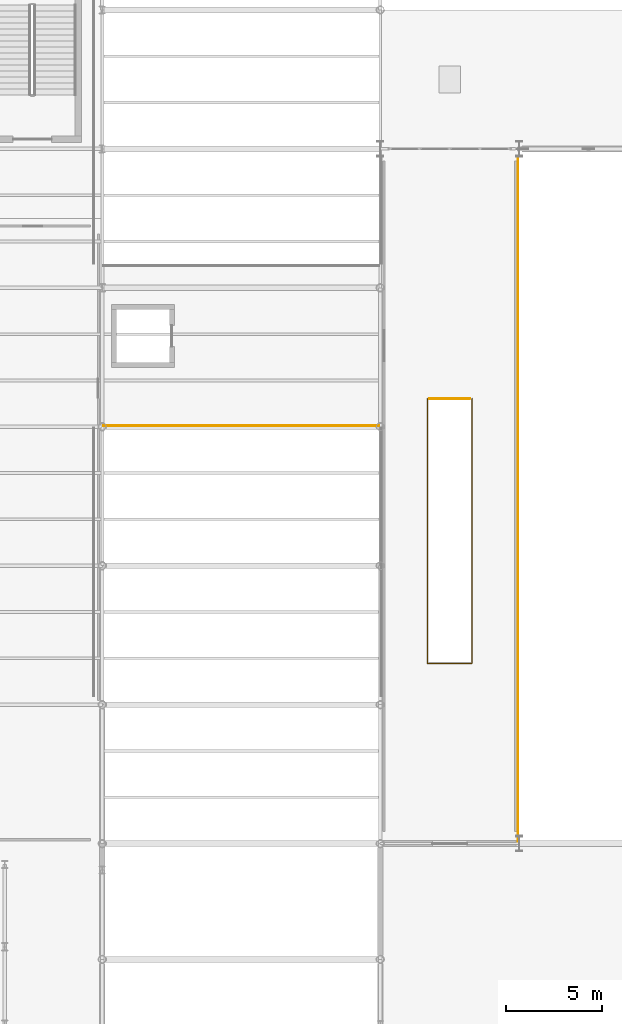
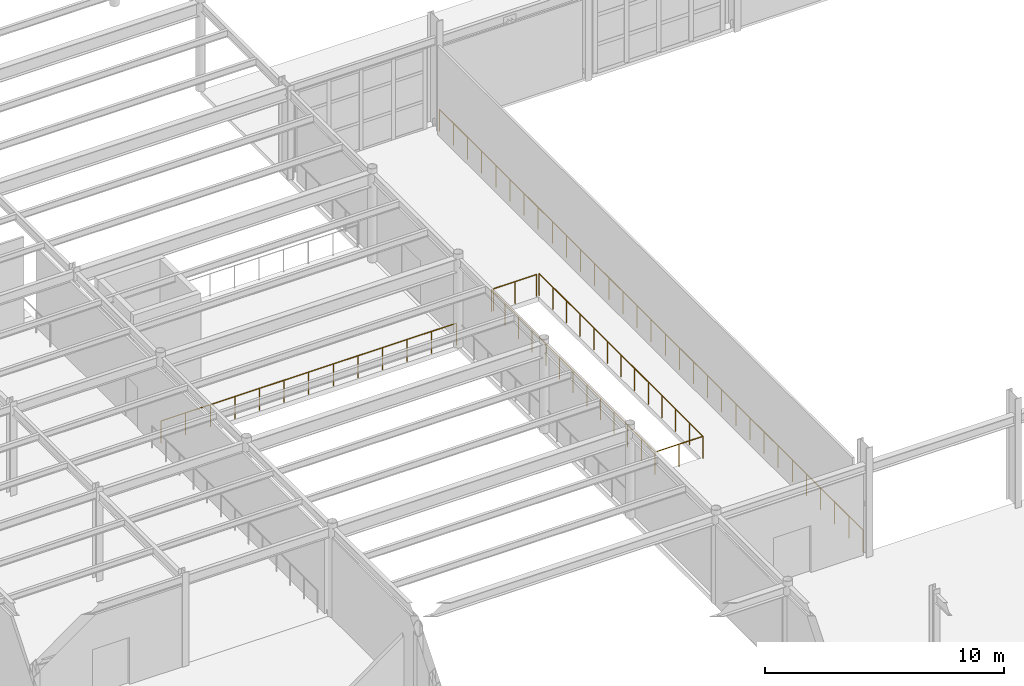
# One storey, part 120 of 126: 4 railings.
"""IFC4 building model written with IfcOpenShell, lengths in metres."""

from ifc_helpers import new_model, si_unit, direction, frame, origin, origin_2d, place, context, subcontext, project, spatial, circle, extrude, material, type_object, element, save


model = new_model("IFC4")

# Units and contexts
model_context = context("Model", 3, precision=1e-05, world=origin(), true_north=direction((0.0, 1.0)))
body_context = subcontext(model_context, "Body", "Model", "MODEL_VIEW")
ifc_project = project(units=[si_unit("LENGTHUNIT", "METRE"), si_unit("AREAUNIT", "SQUARE_METRE"), si_unit("VOLUMEUNIT", "CUBIC_METRE"), si_unit("PLANEANGLEUNIT", "RADIAN"), si_unit("MASSUNIT", "GRAM", prefix="KILO")], contexts=[model_context])

# Site, building, storey
site_placement = place(None, origin())
site = spatial("IfcSite", under=ifc_project, at=site_placement, CompositionType="ELEMENT")
building_placement = place(site_placement, origin())
building = spatial("IfcBuilding", under=site, at=building_placement, Name="Solvadek Multi-Sports Hall", CompositionType="ELEMENT")
storey_placement = place(building_placement, frame((0.0, 0.0, 9.60009765625)))
storey = spatial("IfcBuildingStorey", under=building, at=storey_placement, Name="L02", CompositionType="ELEMENT", Elevation=9.60009765625)

# Railings
ifc_material = material(Name="Steel E250 (250 MPa)", Category="steel")
railing_type = type_object("IfcRailingType", Name="INT-RAL-GRD115", PredefinedType="BALUSTRADE", material=ifc_material)
railing_1_placement = place(storey_placement, frame((88.840087890625, 29.06005859375, 0.0)))
element("IfcRailing", 1, at=railing_1_placement, inside=storey, type_object=railing_type, Name="L02 Void Edge Balustrade Guard #31", PredefinedType="BALUSTRADE", context=body_context, shape_type="SweptSolid", body=[
    extrude(circle(Radius=0.02392578125, at=origin_2d()), frame((0.0, 0.0, 1.1259765625), z_axis=(0.0, -1.0, 0.0), x_axis=(1.0, 0.0, 0.0)), (0.0, 0.0, 1.0), 13.719970703125),
    extrude(circle(Radius=0.02392578125, at=origin_2d()), frame((0.0, -13.719970703125, 1.1259765625), z_axis=(1.0, 0.0, 0.0), x_axis=(0.0, 1.0, 0.0)), (0.0, 0.0, 1.0), 2.31982421875),
    extrude(circle(Radius=0.02392578125, at=origin_2d()), frame((2.31982421875, -13.719970703125, 1.1259765625), z_axis=(0.0, 1.0, 0.0), x_axis=(-1.0, 0.0, 0.0)), (0.0, 0.0, 1.0), 13.719970703125),
    extrude(circle(Radius=0.02099609375, at=origin_2d()), origin(), (0.0, 0.0, 1.0), 1.101806640625),
    extrude(circle(Radius=0.02099609375, at=origin_2d()), frame((0.0, -1.143310546875, 0.0)), (0.0, 0.0, 1.0), 1.101806640625),
    extrude(circle(Radius=0.02099609375, at=origin_2d()), frame((0.0, -2.28662109375, 0.0)), (0.0, 0.0, 1.0), 1.101806640625),
    extrude(circle(Radius=0.02099609375, at=origin_2d()), frame((0.0, -3.429931640625, 0.0)), (0.0, 0.0, 1.0), 1.101806640625),
    extrude(circle(Radius=0.02099609375, at=origin_2d()), frame((0.0, -4.5732421875, 0.0)), (0.0, 0.0, 1.0), 1.101806640625),
    extrude(circle(Radius=0.02099609375, at=origin_2d()), frame((0.0, -5.716552734375, 0.0)), (0.0, 0.0, 1.0), 1.101806640625),
    extrude(circle(Radius=0.02099609375, at=origin_2d()), frame((0.0, -6.85986328125, 0.0)), (0.0, 0.0, 1.0), 1.101806640625),
    extrude(circle(Radius=0.02099609375, at=origin_2d()), frame((0.0, -8.00341796875, 0.0)), (0.0, 0.0, 1.0), 1.101806640625),
    extrude(circle(Radius=0.02099609375, at=origin_2d()), frame((0.0, -9.146728515625, 0.0)), (0.0, 0.0, 1.0), 1.101806640625),
    extrude(circle(Radius=0.02099609375, at=origin_2d()), frame((0.0, -10.2900390625, 0.0)), (0.0, 0.0, 1.0), 1.101806640625),
    extrude(circle(Radius=0.02099609375, at=origin_2d()), frame((0.0, -11.433349609375, 0.0)), (0.0, 0.0, 1.0), 1.101806640625),
    extrude(circle(Radius=0.02099609375, at=origin_2d()), frame((0.0, -12.57666015625, 0.0)), (0.0, 0.0, 1.0), 1.101806640625),
    extrude(circle(Radius=0.02099609375, at=origin_2d()), frame((0.0, -13.719970703125, 0.0)), (0.0, 0.0, 1.0), 1.101806640625),
    extrude(circle(Radius=0.02099609375, at=origin_2d()), frame((1.159912109375, -13.719970703125, 0.0)), (0.0, 0.0, 1.0), 1.101806640625),
    extrude(circle(Radius=0.02099609375, at=origin_2d()), frame((2.31982421875, -13.719970703125, 0.0)), (0.0, 0.0, 1.0), 1.101806640625),
    extrude(circle(Radius=0.02099609375, at=origin_2d()), frame((2.31982421875, -12.57666015625, 0.0)), (0.0, 0.0, 1.0), 1.101806640625),
    extrude(circle(Radius=0.02099609375, at=origin_2d()), frame((2.31982421875, -11.433349609375, 0.0)), (0.0, 0.0, 1.0), 1.101806640625),
    extrude(circle(Radius=0.02099609375, at=origin_2d()), frame((2.31982421875, -10.2900390625, 0.0)), (0.0, 0.0, 1.0), 1.101806640625),
    extrude(circle(Radius=0.02099609375, at=origin_2d()), frame((2.31982421875, -9.146728515625, 0.0)), (0.0, 0.0, 1.0), 1.101806640625),
    extrude(circle(Radius=0.02099609375, at=origin_2d()), frame((2.31982421875, -8.00341796875, 0.0)), (0.0, 0.0, 1.0), 1.101806640625),
    extrude(circle(Radius=0.02099609375, at=origin_2d()), frame((2.31982421875, -6.85986328125, 0.0)), (0.0, 0.0, 1.0), 1.101806640625),
    extrude(circle(Radius=0.02099609375, at=origin_2d()), frame((2.31982421875, -5.716552734375, 0.0)), (0.0, 0.0, 1.0), 1.101806640625),
    extrude(circle(Radius=0.02099609375, at=origin_2d()), frame((2.31982421875, -4.5732421875, 0.0)), (0.0, 0.0, 1.0), 1.101806640625),
    extrude(circle(Radius=0.02099609375, at=origin_2d()), frame((2.31982421875, -3.429931640625, 0.0)), (0.0, 0.0, 1.0), 1.101806640625),
    extrude(circle(Radius=0.02099609375, at=origin_2d()), frame((2.31982421875, -2.28662109375, 0.0)), (0.0, 0.0, 1.0), 1.101806640625),
    extrude(circle(Radius=0.02099609375, at=origin_2d()), frame((2.31982421875, -1.143310546875, 0.0)), (0.0, 0.0, 1.0), 1.101806640625),
    extrude(circle(Radius=0.02099609375, at=origin_2d()), frame((2.31982421875, 0.0, 0.0)), (0.0, 0.0, 1.0), 1.101806640625),
])
railing_2_placement = place(storey_placement, frame((88.9599609375, 29.06005859375, 0.0)))
element("IfcRailing", 2, at=railing_2_placement, inside=storey, type_object=railing_type, Name="L02 Void Edge Balustrade Guard #32", PredefinedType="BALUSTRADE", context=body_context, shape_type="SweptSolid", body=[
    extrude(circle(Radius=0.02392578125, at=origin_2d()), frame((0.0, 0.0, 1.1259765625), z_axis=(1.0, 0.0, 0.0), x_axis=(0.0, 1.0, 0.0)), (0.0, 0.0, 1.0), 2.080078125),
    extrude(circle(Radius=0.02099609375, at=origin_2d()), origin(), (0.0, 0.0, 1.0), 1.101806640625),
    extrude(circle(Radius=0.02099609375, at=origin_2d()), frame((1.0400390625, 0.0, 0.0)), (0.0, 0.0, 1.0), 1.101806640625),
    extrude(circle(Radius=0.02099609375, at=origin_2d()), frame((2.080078125, 0.0, 0.0)), (0.0, 0.0, 1.0), 1.101806640625),
])
railing_3_placement = place(storey_placement, frame((72.06005859375, 27.659912109375, 0.0)))
element("IfcRailing", 3, at=railing_3_placement, inside=storey, type_object=railing_type, Name="L02 Void Edge Balustrade Guard #58", PredefinedType="BALUSTRADE", context=body_context, shape_type="SweptSolid", body=[
    extrude(circle(Radius=0.02392578125, at=origin_2d()), frame((0.0, 0.0, 1.1259765625), z_axis=(1.0, 0.0, 0.0), x_axis=(0.0, 1.0, 0.0)), (0.0, 0.0, 1.0), 14.280029296875),
    extrude(circle(Radius=0.02099609375, at=origin_2d()), origin(), (0.0, 0.0, 1.0), 1.101806640625),
    extrude(circle(Radius=0.02099609375, at=origin_2d()), frame((1.18994140625, 0.0, 0.0)), (0.0, 0.0, 1.0), 1.101806640625),
    extrude(circle(Radius=0.02099609375, at=origin_2d()), frame((2.3798828125, 0.0, 0.0)), (0.0, 0.0, 1.0), 1.101806640625),
    extrude(circle(Radius=0.02099609375, at=origin_2d()), frame((3.570068359375, 0.0, 0.0)), (0.0, 0.0, 1.0), 1.101806640625),
    extrude(circle(Radius=0.02099609375, at=origin_2d()), frame((4.760009765625, 0.0, 0.0)), (0.0, 0.0, 1.0), 1.101806640625),
    extrude(circle(Radius=0.02099609375, at=origin_2d()), frame((5.949951171875, 0.0, 0.0)), (0.0, 0.0, 1.0), 1.101806640625),
    extrude(circle(Radius=0.02099609375, at=origin_2d()), frame((7.14013671875, 0.0, 0.0)), (0.0, 0.0, 1.0), 1.101806640625),
    extrude(circle(Radius=0.02099609375, at=origin_2d()), frame((8.330078125, 0.0, 0.0)), (0.0, 0.0, 1.0), 1.101806640625),
    extrude(circle(Radius=0.02099609375, at=origin_2d()), frame((9.52001953125, 0.0, 0.0)), (0.0, 0.0, 1.0), 1.101806640625),
    extrude(circle(Radius=0.02099609375, at=origin_2d()), frame((10.7099609375, 0.0, 0.0)), (0.0, 0.0, 1.0), 1.101806640625),
    extrude(circle(Radius=0.02099609375, at=origin_2d()), frame((11.89990234375, 0.0, 0.0)), (0.0, 0.0, 1.0), 1.101806640625),
    extrude(circle(Radius=0.02099609375, at=origin_2d()), frame((13.090087890625, 0.0, 0.0)), (0.0, 0.0, 1.0), 1.101806640625),
    extrude(circle(Radius=0.02099609375, at=origin_2d()), frame((14.280029296875, 0.0, 0.0)), (0.0, 0.0, 1.0), 1.101806640625),
])
railing_4_placement = place(storey_placement, frame((93.5400390625, 6.06005859375, 0.0)))
element("IfcRailing", 4, at=railing_4_placement, inside=storey, type_object=railing_type, Name="L02 Void Edge Balustrade Guard #63", PredefinedType="BALUSTRADE", context=body_context, shape_type="SweptSolid", body=[
    extrude(circle(Radius=0.02392578125, at=origin_2d()), frame((0.0, 0.0, 1.1259765625), z_axis=(0.0, 1.0, 0.0), x_axis=(-1.0, 0.0, 0.0)), (0.0, 0.0, 1.0), 35.489990234375),
    extrude(circle(Radius=0.02099609375, at=origin_2d()), origin(), (0.0, 0.0, 1.0), 1.101806640625),
    extrude(circle(Radius=0.02099609375, at=origin_2d()), frame((0.0, 1.18310546875, 0.0)), (0.0, 0.0, 1.0), 1.101806640625),
    extrude(circle(Radius=0.02099609375, at=origin_2d()), frame((0.0, 2.365966796875, 0.0)), (0.0, 0.0, 1.0), 1.101806640625),
    extrude(circle(Radius=0.02099609375, at=origin_2d()), frame((0.0, 3.549072265625, 0.0)), (0.0, 0.0, 1.0), 1.101806640625),
    extrude(circle(Radius=0.02099609375, at=origin_2d()), frame((0.0, 4.73193359375, 0.0)), (0.0, 0.0, 1.0), 1.101806640625),
    extrude(circle(Radius=0.02099609375, at=origin_2d()), frame((0.0, 5.9150390625, 0.0)), (0.0, 0.0, 1.0), 1.101806640625),
    extrude(circle(Radius=0.02099609375, at=origin_2d()), frame((0.0, 7.097900390625, 0.0)), (0.0, 0.0, 1.0), 1.101806640625),
    extrude(circle(Radius=0.02099609375, at=origin_2d()), frame((0.0, 8.281005859375, 0.0)), (0.0, 0.0, 1.0), 1.101806640625),
    extrude(circle(Radius=0.02099609375, at=origin_2d()), frame((0.0, 9.464111328125, 0.0)), (0.0, 0.0, 1.0), 1.101806640625),
    extrude(circle(Radius=0.02099609375, at=origin_2d()), frame((0.0, 10.64697265625, 0.0)), (0.0, 0.0, 1.0), 1.101806640625),
    extrude(circle(Radius=0.02099609375, at=origin_2d()), frame((0.0, 11.830078125, 0.0)), (0.0, 0.0, 1.0), 1.101806640625),
    extrude(circle(Radius=0.02099609375, at=origin_2d()), frame((0.0, 13.012939453125, 0.0)), (0.0, 0.0, 1.0), 1.101806640625),
    extrude(circle(Radius=0.02099609375, at=origin_2d()), frame((0.0, 14.196044921875, 0.0)), (0.0, 0.0, 1.0), 1.101806640625),
    extrude(circle(Radius=0.02099609375, at=origin_2d()), frame((0.0, 15.37890625, 0.0)), (0.0, 0.0, 1.0), 1.101806640625),
    extrude(circle(Radius=0.02099609375, at=origin_2d()), frame((0.0, 16.56201171875, 0.0)), (0.0, 0.0, 1.0), 1.101806640625),
    extrude(circle(Radius=0.02099609375, at=origin_2d()), frame((0.0, 17.7451171875, 0.0)), (0.0, 0.0, 1.0), 1.101806640625),
    extrude(circle(Radius=0.02099609375, at=origin_2d()), frame((0.0, 18.927978515625, 0.0)), (0.0, 0.0, 1.0), 1.101806640625),
    extrude(circle(Radius=0.02099609375, at=origin_2d()), frame((0.0, 20.111083984375, 0.0)), (0.0, 0.0, 1.0), 1.101806640625),
    extrude(circle(Radius=0.02099609375, at=origin_2d()), frame((0.0, 21.2939453125, 0.0)), (0.0, 0.0, 1.0), 1.101806640625),
    extrude(circle(Radius=0.02099609375, at=origin_2d()), frame((0.0, 22.47705078125, 0.0)), (0.0, 0.0, 1.0), 1.101806640625),
    extrude(circle(Radius=0.02099609375, at=origin_2d()), frame((0.0, 23.659912109375, 0.0)), (0.0, 0.0, 1.0), 1.101806640625),
    extrude(circle(Radius=0.02099609375, at=origin_2d()), frame((0.0, 24.843017578125, 0.0)), (0.0, 0.0, 1.0), 1.101806640625),
    extrude(circle(Radius=0.02099609375, at=origin_2d()), frame((0.0, 26.02587890625, 0.0)), (0.0, 0.0, 1.0), 1.101806640625),
    extrude(circle(Radius=0.02099609375, at=origin_2d()), frame((0.0, 27.208984375, 0.0)), (0.0, 0.0, 1.0), 1.101806640625),
    extrude(circle(Radius=0.02099609375, at=origin_2d()), frame((0.0, 28.39208984375, 0.0)), (0.0, 0.0, 1.0), 1.101806640625),
    extrude(circle(Radius=0.02099609375, at=origin_2d()), frame((0.0, 29.574951171875, 0.0)), (0.0, 0.0, 1.0), 1.101806640625),
    extrude(circle(Radius=0.02099609375, at=origin_2d()), frame((0.0, 30.758056640625, 0.0)), (0.0, 0.0, 1.0), 1.101806640625),
    extrude(circle(Radius=0.02099609375, at=origin_2d()), frame((0.0, 31.94091796875, 0.0)), (0.0, 0.0, 1.0), 1.101806640625),
    extrude(circle(Radius=0.02099609375, at=origin_2d()), frame((0.0, 33.1240234375, 0.0)), (0.0, 0.0, 1.0), 1.101806640625),
    extrude(circle(Radius=0.02099609375, at=origin_2d()), frame((0.0, 34.306884765625, 0.0)), (0.0, 0.0, 1.0), 1.101806640625),
    extrude(circle(Radius=0.02099609375, at=origin_2d()), frame((0.0, 35.489990234375, 0.0)), (0.0, 0.0, 1.0), 1.101806640625),
])

save(model, "model.ifc")
